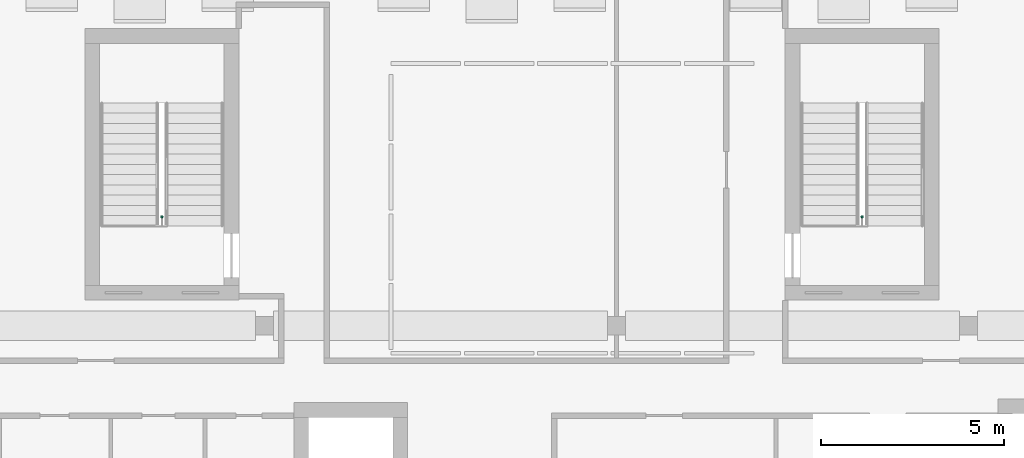
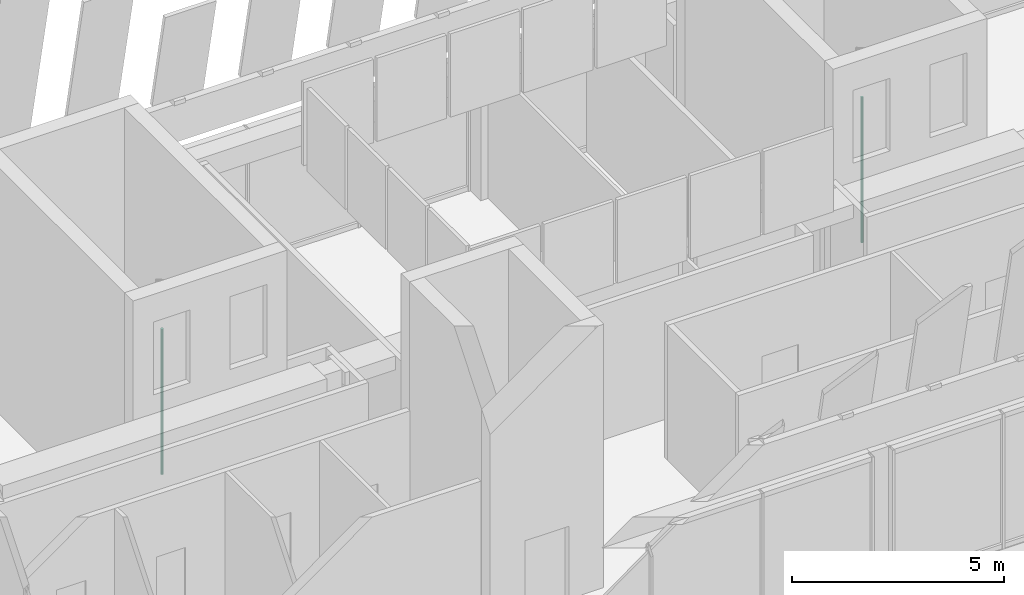
# One storey, part 24 of 26: 2 pipe segments.
"""IFC4 building model written with IfcOpenShell, lengths in metres."""

from ifc_helpers import new_model, si_unit, direction, frame, origin, origin_2d, place, context, subcontext, project, spatial, circle, extrude, element, save


model = new_model("IFC4")

# Units and contexts
model_context = context("Model", 3, precision=1e-05, world=origin(), true_north=direction((0.0, 1.0)))
body_context = subcontext(model_context, "Body", "Model", "MODEL_VIEW")
ifc_project = project(units=[si_unit("LENGTHUNIT", "METRE"), si_unit("AREAUNIT", "SQUARE_METRE"), si_unit("VOLUMEUNIT", "CUBIC_METRE"), si_unit("PLANEANGLEUNIT", "RADIAN"), si_unit("MASSUNIT", "GRAM", prefix="KILO")], contexts=[model_context])

# Site, building, storey
site_placement = place(None, origin())
site = spatial("IfcSite", under=ifc_project, at=site_placement, CompositionType="ELEMENT")
building_placement = place(site_placement, origin())
building = spatial("IfcBuilding", under=site, at=building_placement, Name="Nzadi Deep Aquarium and Research Tower", CompositionType="ELEMENT")
storey_placement = place(building_placement, frame((0.0, 0.0, 78.10009765625)))
storey = spatial("IfcBuildingStorey", under=building, at=storey_placement, Name="L16", CompositionType="ELEMENT", Elevation=78.10009765625)

# Pipe segments
for number, where, z_axis, x_axis, name in (
    (1, (6.800048828125, 39.77001953125, 0.0), (0.0, 0.0, 1.0), (1.0, 0.0, 0.0), "Dry riser ST-Z1-NW L16"),
    (2, (25.89990234375, 39.77001953125, 0.0), (0.0, 0.0, 1.0), (1.0, 0.0, 0.0), "Dry riser ST-Z1-NE L16"),
):
    element("IfcPipeSegment", number, at=place(storey_placement, frame(where, z_axis=z_axis, x_axis=x_axis)), inside=storey, Name=name, PredefinedType="RIGIDSEGMENT", context=body_context, shape_type="SweptSolid", body=[
        extrude(circle(Radius=0.034912109375, at=origin_2d()), origin(), (0.0, 0.0, 1.0), 4.199951171875),
    ])

save(model, "model.ifc")
